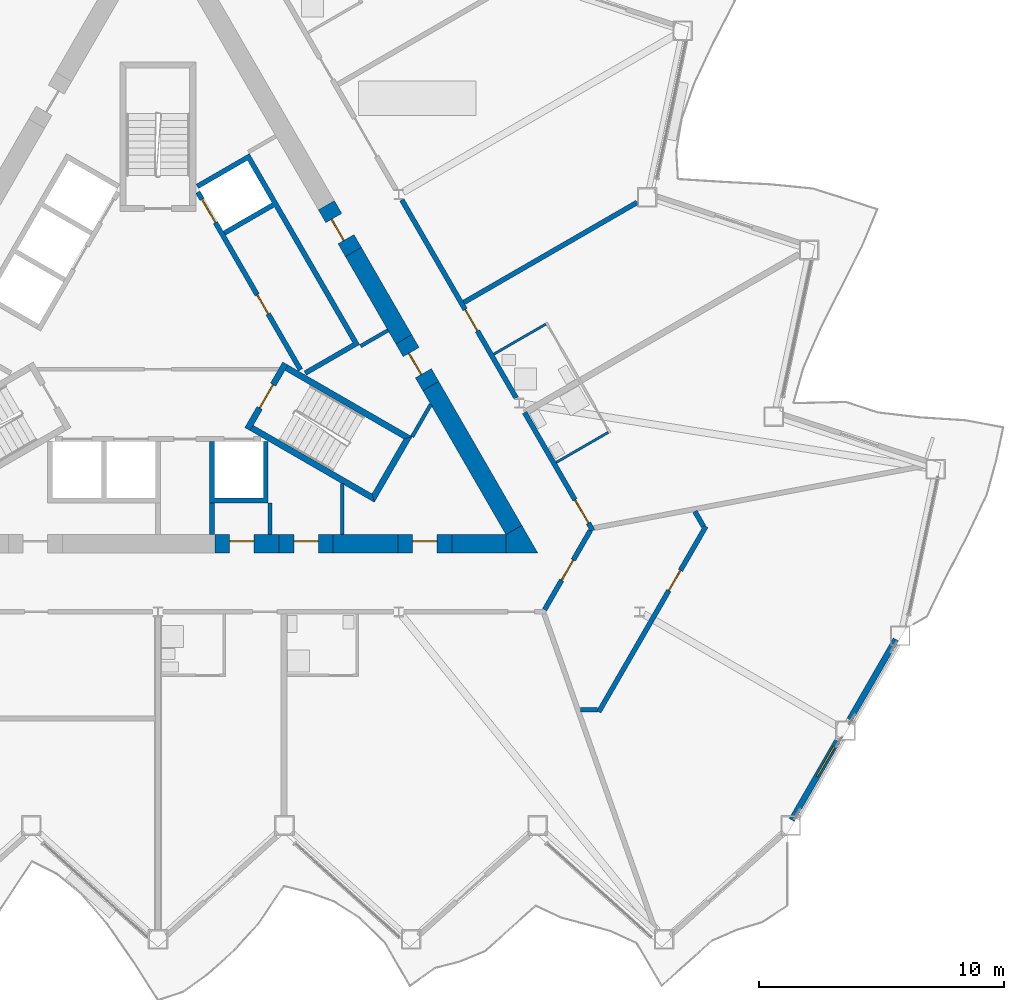
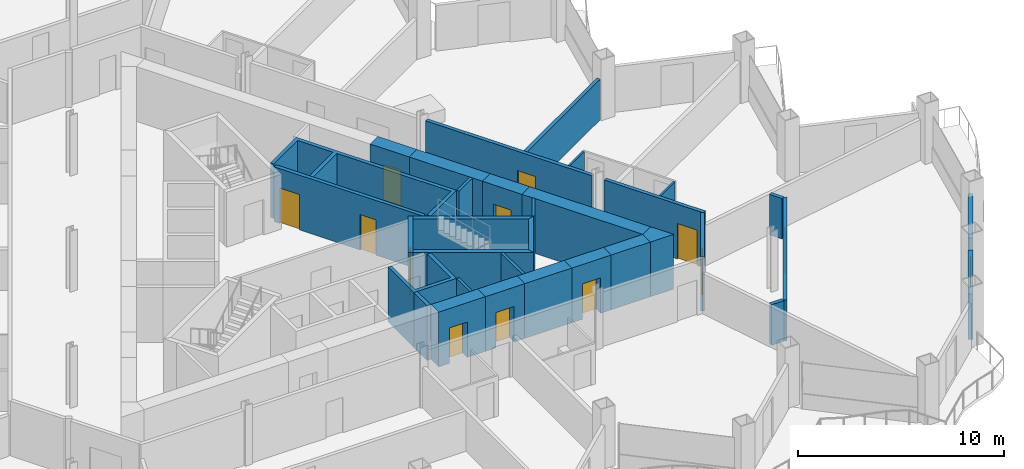
# One storey, part 12 of 22: 33 walls, 12 doors, 1 window, 13 openings.
"""IFC4 building model written with IfcOpenShell, lengths in metres."""

from ifc_helpers import new_model, si_unit, direction, frame, frame_2d, origin, place, context, subcontext, project, spatial, polyline, rectangle, outline, extrude, material, layer, layer_set, type_object, element, fill, save


model = new_model("IFC4")

# Units and contexts
model_context = context("Model", 3, precision=1e-05, world=origin(), true_north=direction((0.0, 1.0)))
body_context = subcontext(model_context, "Body", "Model", "MODEL_VIEW")
ifc_project = project(units=[si_unit("LENGTHUNIT", "METRE"), si_unit("AREAUNIT", "SQUARE_METRE"), si_unit("VOLUMEUNIT", "CUBIC_METRE"), si_unit("PLANEANGLEUNIT", "RADIAN"), si_unit("MASSUNIT", "GRAM", prefix="KILO")], contexts=[model_context])

# Site, building, storey
site_placement = place(None, origin())
site = spatial("IfcSite", under=ifc_project, at=site_placement, CompositionType="ELEMENT")
building_placement = place(site_placement, origin())
building = spatial("IfcBuilding", under=site, at=building_placement, Name="Cormorant Prow Tower", CompositionType="ELEMENT")
storey_placement = place(building_placement, frame((0.0, 0.0, 190.800048828125)))
storey = spatial("IfcBuildingStorey", under=building, at=storey_placement, Name="L41", CompositionType="ELEMENT", Elevation=190.800048828125)

# Walls
ifc_material_1 = material(Name="Gypsum board partition")
ifc_layer_1 = layer(ifc_material_1, 0.14990234375)
ifc_layer_set_1 = layer_set([ifc_layer_1], Name="Gypsum board partition")
wall_type_1 = type_object("IfcWallType", Name="Core partition 150", PredefinedType="PARTITIONING", material=ifc_layer_set_1)
for number, where, z_axis, x_axis, name in (
    (1, (8.268310546875, -0.509033203125, 0.0), (0.0, 0.0, 1.0), (0.866003189247, 0.500038474733, 0.0), "Service room partition"),
    (2, (4.574951171875, -6.906005859375, 0.0), (0.0, 0.0, 1.0), (0.0, -1.0, 0.0), "Service room partition"),
):
    element("IfcWall", number, at=place(storey_placement, frame(where, z_axis=z_axis, x_axis=x_axis)), inside=storey, type_object=wall_type_1, Name=name, PredefinedType="PARTITIONING", context=body_context, shape_type="SweptSolid", body=[
        extrude(rectangle(XDim=1.29296875, YDim=0.14990234375, at=frame_2d((0.646484375, 0.0))), origin(), (0.0, 0.0, 1.0), 3.25),
    ])
wall_1_placement = place(storey_placement, frame((7.515380859375, -8.198974609375, 0.0), z_axis=(0.0, 0.0, 1.0), x_axis=(0.0, 1.0, 0.0)))
element("IfcWall", 3, at=wall_1_placement, inside=storey, type_object=wall_type_1, Name="Service room partition", PredefinedType="PARTITIONING", context=body_context, shape_type="SweptSolid", body=[
    extrude(rectangle(XDim=2.087158203125, YDim=0.14990234375, at=frame_2d((1.04345703125, 0.0))), origin(), (0.0, 0.0, 1.0), 3.25),
])
wall_2_placement = place(storey_placement, frame((10.37353515625, -4.206298828125, 0.0), z_axis=(0.0, 0.0, 1.0), x_axis=(0.500037110984, 0.866003976688, 0.0)))
element("IfcWall", 4, at=wall_2_placement, inside=storey, type_object=wall_type_1, Name="Service room partition", PredefinedType="PARTITIONING", context=body_context, shape_type="SweptSolid", body=[
    extrude(rectangle(XDim=1.5224609375, YDim=0.14990234375, at=frame_2d((0.76123046875, 0.0))), origin(), (0.0, 0.0, 1.0), 3.25),
])
ifc_material_2 = material(Name="Concrete 8000 psi", Category="concrete")
ifc_layer_2 = layer(ifc_material_2, 0.75)
ifc_layer_set_2 = layer_set([ifc_layer_2], Name="Concrete 8000 psi")
wall_type_2 = type_object("IfcWallType", Name="Core shear wall 750", PredefinedType="SHEAR", material=ifc_layer_set_2)
wall_3_placement = place(storey_placement, frame((7.14501953125, -8.573974609375, 0.0), z_axis=(0.0, 0.0, 1.0), x_axis=(1.0, 0.0, 0.0)))
element("IfcWall", 5, at=wall_3_placement, inside=storey, type_object=wall_type_2, Name="Core wall", PredefinedType="SHEAR", context=body_context, shape_type="SweptSolid", body=[
    extrude(rectangle(XDim=2.650634765625, YDim=0.75, at=frame_2d((1.3251953125, 0.0))), origin(), (0.0, 0.0, 1.0), 3.25),
])
wall_4_placement = place(storey_placement, frame((11.99560546875, -8.573974609375, 0.0), z_axis=(0.0, 0.0, 1.0), x_axis=(1.0, 0.0, 0.0)))
element("IfcWall", 6, at=wall_4_placement, inside=storey, type_object=wall_type_2, Name="Core wall", PredefinedType="SHEAR", context=body_context, shape_type="SweptSolid", body=[
    extrude(rectangle(XDim=2.205322265625, YDim=0.75, at=frame_2d((1.1025390625, 0.0))), origin(), (0.0, 0.0, 1.0), 3.25),
])
wall_5_placement = place(storey_placement, frame((14.525634765625, -8.011474609375, 0.0), z_axis=(0.0, 0.0, 1.0), x_axis=(-0.499982018922, 0.866035784916, 0.0)))
element("IfcWall", 7, at=wall_5_placement, inside=storey, type_object=wall_type_2, Name="Core wall", PredefinedType="SHEAR", context=body_context, shape_type="SweptSolid", body=[
    extrude(rectangle(XDim=6.784912109375, YDim=0.75, at=frame_2d((3.392578125, 0.0))), origin(), (0.0, 0.0, 1.0), 3.25),
])
wall_6_placement = place(storey_placement, frame((10.033203125, -0.22998046875, 0.0), z_axis=(0.0, 0.0, 1.0), x_axis=(-0.500030520673, 0.866007781949, 0.0)))
element("IfcWall", 8, at=wall_6_placement, inside=storey, type_object=wall_type_2, Name="Core wall", PredefinedType="SHEAR", context=body_context, shape_type="SweptSolid", body=[
    extrude(rectangle(XDim=4.115966796875, YDim=0.75, at=frame_2d((2.05810546875, 0.0))), origin(), (0.0, 0.0, 1.0), 3.25),
])
wall_7_placement = place(storey_placement, origin())
element("IfcWall", 9, at=wall_7_placement, inside=storey, type_object=wall_type_2, Name="Core wall corner", PredefinedType="SHEAR", context=body_context, shape_type="SweptSolid", body=[
    extrude(outline(polyline([(14.200927734375, -8.948974609375), (14.200927734375, -8.198974609375), (14.8505859375, -7.823974609375), (15.5, -8.948974609375), (14.200927734375, -8.948974609375)])), origin(), (0.0, 0.0, 1.0), 3.25),
])

# Wall, opening, door
wall_8_placement = place(storey_placement, frame((2.320068359375, -8.573974609375, 0.0), z_axis=(0.0, 0.0, 1.0), x_axis=(1.0, 0.0, 0.0)))
wall_8 = element("IfcWall", 10, at=wall_8_placement, inside=storey, type_object=wall_type_2, Name="Core wall door panel", PredefinedType="SHEAR", context=body_context, shape_type="SweptSolid", body=[
    extrude(rectangle(XDim=2.625, YDim=0.75, at=frame_2d((1.3125, 0.0))), origin(), (0.0, 0.0, 1.0), 3.25),
])
opening_1_placement = place(wall_8_placement, frame((0.60009765625, 0.0, 0.0)))
opening_1 = element("IfcOpeningElement", 11, at=opening_1_placement, cuts=wall_8, Name="Opening L41-C13", PredefinedType="OPENING", context=body_context, shape_type="SweptSolid", body=[
    extrude(rectangle(XDim=1.0, YDim=2.10009765625, at=frame_2d((0.5, 1.050048828125))), frame((0.0, 0.385009765625, 0.0), z_axis=(0.0, -1.0, 0.0), x_axis=(1.0, 0.0, 0.0)), (0.0, 0.0, 1.0), 0.77001953125),
])
ifc_material_3 = material(Name="Painted steel", Category="steel")
door_type_1 = type_object("IfcDoorType", Name="Service door 1000x2100", OperationType="NOTDEFINED", PredefinedType="DOOR", material=ifc_material_3)
door_1_placement = place(opening_1_placement, origin())
door_1 = element("IfcDoor", 12, at=door_1_placement, inside=storey, type_object=door_type_1, Name="Core door, Telecom room", OperationType="SINGLE_SWING_RIGHT", OverallHeight=2.10009765625, OverallWidth=1.0, PredefinedType="DOOR", context=body_context, shape_type="SweptSolid", body=[
    extrude(rectangle(XDim=1.0, YDim=2.10009765625, at=frame_2d((0.5, 1.050048828125))), frame((0.0, 0.1298828125, 0.0), z_axis=(0.0, -1.0, 0.0), x_axis=(1.0, 0.0, 0.0)), (0.0, 0.0, 1.0), 0.050048828125),
])
fill(opening_1, door_1)

wall_9_placement = place(storey_placement, frame((4.945068359375, -8.573974609375, 0.0), z_axis=(0.0, 0.0, 1.0), x_axis=(1.0, 0.0, 0.0)))
wall_9 = element("IfcWall", 13, at=wall_9_placement, inside=storey, type_object=wall_type_2, Name="Core wall door panel", PredefinedType="SHEAR", context=body_context, shape_type="SweptSolid", body=[
    extrude(rectangle(XDim=2.199951171875, YDim=0.75, at=frame_2d((1.10009765625, 0.0))), origin(), (0.0, 0.0, 1.0), 3.25),
])
opening_2_placement = place(wall_9_placement, frame((0.60009765625, 0.0, 0.0)))
opening_2 = element("IfcOpeningElement", 14, at=opening_2_placement, cuts=wall_9, Name="Opening L41-C15", PredefinedType="OPENING", context=body_context, shape_type="SweptSolid", body=[
    extrude(rectangle(XDim=1.0, YDim=2.10009765625, at=frame_2d((0.5, 1.050048828125))), frame((0.0, 0.385009765625, 0.0), z_axis=(0.0, -1.0, 0.0), x_axis=(1.0, 0.0, 0.0)), (0.0, 0.0, 1.0), 0.77001953125),
])
door_2_placement = place(opening_2_placement, origin())
door_2 = element("IfcDoor", 15, at=door_2_placement, inside=storey, type_object=door_type_1, Name="Core door, Electrical room", OperationType="SINGLE_SWING_LEFT", OverallHeight=2.10009765625, OverallWidth=1.0, PredefinedType="DOOR", context=body_context, shape_type="SweptSolid", body=[
    extrude(rectangle(XDim=1.0, YDim=2.10009765625, at=frame_2d((0.5, 1.050048828125))), frame((0.0, 0.1298828125, 0.0), z_axis=(0.0, -1.0, 0.0), x_axis=(1.0, 0.0, 0.0)), (0.0, 0.0, 1.0), 0.050048828125),
])
fill(opening_2, door_2)

wall_10_placement = place(storey_placement, frame((9.795654296875, -8.573974609375, 0.0), z_axis=(0.0, 0.0, 1.0), x_axis=(1.0, 0.0, 0.0)))
wall_10 = element("IfcWall", 16, at=wall_10_placement, inside=storey, type_object=wall_type_2, Name="Core wall door panel", PredefinedType="SHEAR", context=body_context, shape_type="SweptSolid", body=[
    extrude(rectangle(XDim=2.199951171875, YDim=0.75, at=frame_2d((1.10009765625, 0.0))), origin(), (0.0, 0.0, 1.0), 3.25),
])
opening_3_placement = place(wall_10_placement, frame((0.60009765625, 0.0, 0.0)))
opening_3 = element("IfcOpeningElement", 17, at=opening_3_placement, cuts=wall_10, Name="Opening L41-C16", PredefinedType="OPENING", context=body_context, shape_type="SweptSolid", body=[
    extrude(rectangle(XDim=1.0, YDim=2.10009765625, at=frame_2d((0.5, 1.050048828125))), frame((0.0, 0.385009765625, 0.0), z_axis=(0.0, -1.0, 0.0), x_axis=(1.0, 0.0, 0.0)), (0.0, 0.0, 1.0), 0.77001953125),
])
door_3_placement = place(opening_3_placement, origin())
door_3 = element("IfcDoor", 18, at=door_3_placement, inside=storey, type_object=door_type_1, Name="Core door, Mechanical riser room", OperationType="SINGLE_SWING_LEFT", OverallHeight=2.10009765625, OverallWidth=1.0, PredefinedType="DOOR", context=body_context, shape_type="SweptSolid", body=[
    extrude(rectangle(XDim=1.0, YDim=2.10009765625, at=frame_2d((0.5, 1.050048828125))), frame((0.0, 0.1298828125, 0.0), z_axis=(0.0, -1.0, 0.0), x_axis=(1.0, 0.0, 0.0)), (0.0, 0.0, 1.0), 0.050048828125),
])
fill(opening_3, door_3)

wall_11_placement = place(storey_placement, frame((7.975341796875, 3.33447265625, 0.0), z_axis=(0.0, 0.0, 1.0), x_axis=(-0.500077893725, 0.86598042715, 0.0)))
wall_11 = element("IfcWall", 19, at=wall_11_placement, inside=storey, type_object=wall_type_2, Name="Core wall door panel", PredefinedType="SHEAR", context=body_context, shape_type="SweptSolid", body=[
    extrude(rectangle(XDim=2.199951171875, YDim=0.75, at=frame_2d((1.10009765625, 0.0))), origin(), (0.0, 0.0, 1.0), 3.25),
])
opening_4_placement = place(wall_11_placement, frame((0.60009765625, 0.0, 0.0)))
opening_4 = element("IfcOpeningElement", 20, at=opening_4_placement, cuts=wall_11, Name="Opening L41-C18", PredefinedType="OPENING", context=body_context, shape_type="SweptSolid", body=[
    extrude(rectangle(XDim=1.0, YDim=2.10009765625, at=frame_2d((0.5, 1.050048828125))), frame((0.0, 0.385009765625, 0.0), z_axis=(0.0, -1.0, 0.0), x_axis=(1.0, 0.0, 0.0)), (0.0, 0.0, 1.0), 0.77001953125),
])
door_4_placement = place(opening_4_placement, origin())
door_4 = element("IfcDoor", 21, at=door_4_placement, inside=storey, type_object=door_type_1, Name="Core door, Pantry store", OperationType="SINGLE_SWING_RIGHT", OverallHeight=2.10009765625, OverallWidth=1.0, PredefinedType="DOOR", context=body_context, shape_type="SweptSolid", body=[
    extrude(rectangle(XDim=1.0, YDim=2.10009765625, at=frame_2d((0.5, 1.050048828125))), frame((0.0, 0.1298828125, 0.0), z_axis=(0.0, -1.0, 0.0), x_axis=(1.0, 0.0, 0.0)), (0.0, 0.0, 1.0), 0.050048828125),
])
fill(opening_4, door_4)

wall_12_placement = place(storey_placement, frame((11.13330078125, -2.135498046875, 0.0), z_axis=(0.0, 0.0, 1.0), x_axis=(-0.499981787252, 0.866035918664, 0.0)))
wall_12 = element("IfcWall", 22, at=wall_12_placement, inside=storey, type_object=wall_type_2, Name="Core wall door panel", PredefinedType="SHEAR", context=body_context, shape_type="SweptSolid", body=[
    extrude(rectangle(XDim=2.2001953125, YDim=0.75, at=frame_2d((1.10009765625, 0.0))), origin(), (0.0, 0.0, 1.0), 3.25),
])
opening_5_placement = place(wall_12_placement, frame((0.60009765625, 0.0, 0.0)))
opening_5 = element("IfcOpeningElement", 23, at=opening_5_placement, cuts=wall_12, Name="Opening L41-C20", PredefinedType="OPENING", context=body_context, shape_type="SweptSolid", body=[
    extrude(rectangle(XDim=1.0, YDim=2.10009765625, at=frame_2d((0.5, 1.050048828125))), frame((0.0, 0.385009765625, 0.0), z_axis=(0.0, -1.0, 0.0), x_axis=(1.0, 0.0, 0.0)), (0.0, 0.0, 1.0), 0.77001953125),
])
door_5_placement = place(opening_5_placement, origin())
door_5 = element("IfcDoor", 24, at=door_5_placement, inside=storey, type_object=door_type_1, Name="Core door, Mechanical riser room", OperationType="SINGLE_SWING_LEFT", OverallHeight=2.10009765625, OverallWidth=1.0, PredefinedType="DOOR", context=body_context, shape_type="SweptSolid", body=[
    extrude(rectangle(XDim=1.0, YDim=2.10009765625, at=frame_2d((0.5, 1.050048828125))), frame((0.0, 0.1298828125, 0.0), z_axis=(0.0, -1.0, 0.0), x_axis=(1.0, 0.0, 0.0)), (0.0, 0.0, 1.0), 0.050048828125),
])
fill(opening_5, door_5)

ifc_material_4 = material(Name="Gypsum board corridor wall")
ifc_layer_3 = layer(ifc_material_4, 0.199951171875)
ifc_layer_set_3 = layer_set([ifc_layer_3], Name="Gypsum board corridor wall")
wall_type_3 = type_object("IfcWallType", Name="Corridor wall 200", PredefinedType="PARTITIONING", material=ifc_layer_set_3)
wall_13_placement = place(storey_placement, frame((9.951904296875, 5.460693359375, 0.0), z_axis=(0.0, 0.0, 1.0), x_axis=(0.50000393355, -0.866023132736, 0.0)))
wall_13 = element("IfcWall", 25, at=wall_13_placement, inside=storey, type_object=wall_type_3, Name="Corridor wall", PredefinedType="PARTITIONING", context=body_context, shape_type="SweptSolid", body=[
    extrude(rectangle(XDim=9.3349609375, YDim=0.199951171875, at=frame_2d((4.66748046875, 0.0))), origin(), (0.0, 0.0, 1.0), 3.25),
])
opening_6_placement = place(wall_13_placement, frame((5.171875, 0.0, 0.0)))
opening_6 = element("IfcOpeningElement", 26, at=opening_6_placement, cuts=wall_13, Name="Opening L41-F11", PredefinedType="OPENING", context=body_context, shape_type="SweptSolid", body=[
    extrude(rectangle(XDim=1.0, YDim=2.10009765625, at=frame_2d((0.5, 1.050048828125))), frame((0.0, 0.10986328125, 0.0), z_axis=(0.0, -1.0, 0.0), x_axis=(1.0, 0.0, 0.0)), (0.0, 0.0, 1.0), 0.219970703125),
])
ifc_material_5 = material(Name="Timber door leaf", Category="wood")
door_type_2 = type_object("IfcDoorType", Name="Flat or room entrance door 1000x2100", OperationType="NOTDEFINED", PredefinedType="DOOR", material=ifc_material_5)
door_6_placement = place(opening_6_placement, origin())
door_6 = element("IfcDoor", 27, at=door_6_placement, inside=storey, type_object=door_type_2, Name="Guest room door", OperationType="SINGLE_SWING_LEFT", OverallHeight=2.10009765625, OverallWidth=1.0, PredefinedType="DOOR", context=body_context, shape_type="SweptSolid", body=[
    extrude(rectangle(XDim=1.0, YDim=2.10009765625, at=frame_2d((0.5, 1.050048828125))), frame((0.0, 0.02490234375, 0.0), z_axis=(0.0, -1.0, 0.0), x_axis=(1.0, 0.0, 0.0)), (0.0, 0.0, 1.0), 0.050048828125),
])
fill(opening_6, door_6)

wall_14_placement = place(storey_placement, frame((14.9619140625, -3.217041015625, 0.0), z_axis=(0.0, 0.0, 1.0), x_axis=(0.500013660489, -0.866017516754, 0.0)))
wall_14 = element("IfcWall", 28, at=wall_14_placement, inside=storey, type_object=wall_type_3, Name="Corridor wall", PredefinedType="PARTITIONING", context=body_context, shape_type="SweptSolid", body=[
    extrude(rectangle(XDim=5.563720703125, YDim=0.199951171875, at=frame_2d((2.78173828125, 0.0))), origin(), (0.0, 0.0, 1.0), 3.25),
])
opening_7_placement = place(wall_14_placement, frame((4.1123046875, 0.0, 0.0)))
opening_7 = element("IfcOpeningElement", 29, at=opening_7_placement, cuts=wall_14, Name="Opening L41-F09", PredefinedType="OPENING", context=body_context, shape_type="SweptSolid", body=[
    extrude(rectangle(XDim=1.10009765625, YDim=2.10009765625, at=frame_2d((0.550048828125, 1.050048828125))), frame((0.0, 0.10986328125, 0.0), z_axis=(0.0, -1.0, 0.0), x_axis=(1.0, 0.0, 0.0)), (0.0, 0.0, 1.0), 0.219970703125),
])
ifc_material_6 = material(Name="Timber door leaf", Category="wood")
door_type_3 = type_object("IfcDoorType", Name="Suite entrance door 1100x2100", OperationType="NOTDEFINED", PredefinedType="DOOR", material=ifc_material_6)
door_7_placement = place(opening_7_placement, origin())
door_7 = element("IfcDoor", 30, at=door_7_placement, inside=storey, type_object=door_type_3, Name="Junior suite door", OperationType="SINGLE_SWING_RIGHT", OverallHeight=2.10009765625, OverallWidth=1.10009765625, PredefinedType="DOOR", context=body_context, shape_type="SweptSolid", body=[
    extrude(rectangle(XDim=1.10009765625, YDim=2.10009765625, at=frame_2d((0.550048828125, 1.050048828125))), frame((0.0, 0.02490234375, 0.0), z_axis=(0.0, -1.0, 0.0), x_axis=(1.0, 0.0, 0.0)), (0.0, 0.0, 1.0), 0.050048828125),
])
fill(opening_7, door_7)

wall_15_placement = place(storey_placement, frame((15.781005859375, -11.26220703125, 0.0), z_axis=(0.0, 0.0, 1.0), x_axis=(0.499958791762, 0.866049194065, 0.0)))
wall_15 = element("IfcWall", 31, at=wall_15_placement, inside=storey, type_object=wall_type_3, Name="Corridor wall", PredefinedType="PARTITIONING", context=body_context, shape_type="SweptSolid", body=[
    extrude(rectangle(XDim=3.725830078125, YDim=0.199951171875, at=frame_2d((1.86279296875, 0.0))), origin(), (0.0, 0.0, 1.0), 3.25),
])
opening_8_placement = place(wall_15_placement, frame((1.387939453125, 0.0, 0.0)))
opening_8 = element("IfcOpeningElement", 32, at=opening_8_placement, cuts=wall_15, Name="Opening L41-F07", PredefinedType="OPENING", context=body_context, shape_type="SweptSolid", body=[
    extrude(rectangle(XDim=0.949951171875, YDim=2.10009765625, at=frame_2d((0.47509765625, 1.050048828125))), frame((0.0, 0.10986328125, 0.0), z_axis=(0.0, -1.0, 0.0), x_axis=(1.0, 0.0, 0.0)), (0.0, 0.0, 1.0), 0.219970703125),
])
ifc_material_7 = material(Name="Timber door leaf", Category="wood")
door_type_4 = type_object("IfcDoorType", Name="Store door 950x2100", OperationType="NOTDEFINED", PredefinedType="DOOR", material=ifc_material_7)
door_8_placement = place(opening_8_placement, origin())
door_8 = element("IfcDoor", 33, at=door_8_placement, inside=storey, type_object=door_type_4, Name="Housekeeping room door", OperationType="SINGLE_SWING_LEFT", OverallHeight=2.10009765625, OverallWidth=0.949951171875, PredefinedType="DOOR", context=body_context, shape_type="SweptSolid", body=[
    extrude(rectangle(XDim=0.949951171875, YDim=2.10009765625, at=frame_2d((0.47509765625, 1.050048828125))), frame((0.0, 0.02490234375, 0.0), z_axis=(0.0, -1.0, 0.0), x_axis=(1.0, 0.0, 0.0)), (0.0, 0.0, 1.0), 0.050048828125),
])
fill(opening_8, door_8)

ifc_material_8 = material(Name="Gypsum board demising wall")
ifc_layer_4 = layer(ifc_material_8, 0.199951171875)
ifc_layer_set_4 = layer_set([ifc_layer_4], Name="Gypsum board demising wall")
wall_type_4 = type_object("IfcWallType", Name="Demising wall 200", PredefinedType="PARTITIONING", material=ifc_layer_set_4)
wall_16_placement = place(storey_placement, frame((17.990234375, -15.435546875, 0.0), z_axis=(0.0, 0.0, 1.0), x_axis=(0.500012451049, 0.866018215049, 0.0)))
wall_16 = element("IfcWall", 34, at=wall_16_placement, inside=storey, type_object=wall_type_4, Name="Demising wall", PredefinedType="PARTITIONING", context=body_context, shape_type="SweptSolid", body=[
    extrude(rectangle(XDim=8.744873046875, YDim=0.199951171875, at=frame_2d((4.37255859375, 0.0))), origin(), (0.0, 0.0, 1.0), 2.404052734375),
])
opening_9_placement = place(wall_16_placement, frame((5.72119140625, 0.0, 0.0)))
opening_9 = element("IfcOpeningElement", 35, at=opening_9_placement, cuts=wall_16, Name="Opening L41-F08", PredefinedType="OPENING", context=body_context, shape_type="SweptSolid", body=[
    extrude(rectangle(XDim=0.949951171875, YDim=2.10009765625, at=frame_2d((0.47509765625, 1.050048828125))), frame((0.0, 0.10986328125, 0.0), z_axis=(0.0, -1.0, 0.0), x_axis=(1.0, 0.0, 0.0)), (0.0, 0.0, 1.0), 0.219970703125),
])
door_9_placement = place(opening_9_placement, origin())
door_9 = element("IfcDoor", 36, at=door_9_placement, inside=storey, type_object=door_type_4, Name="Ice and vending room door", OperationType="SINGLE_SWING_RIGHT", OverallHeight=2.10009765625, OverallWidth=0.949951171875, PredefinedType="DOOR", context=body_context, shape_type="SweptSolid", body=[
    extrude(rectangle(XDim=0.949951171875, YDim=2.10009765625, at=frame_2d((0.47509765625, 1.050048828125))), frame((0.0, 0.02490234375, 0.0), z_axis=(0.0, -1.0, 0.0), x_axis=(1.0, 0.0, 0.0)), (0.0, 0.0, 1.0), 0.050048828125),
])
fill(opening_9, door_9)

# Walls
wall_17_placement = place(storey_placement, frame((12.484375, 1.2744140625, 0.0), z_axis=(0.0, 0.0, 1.0), x_axis=(0.866026229868, 0.499998569178, 0.0)))
element("IfcWall", 37, at=wall_17_placement, inside=storey, type_object=wall_type_4, Name="Demising wall", PredefinedType="PARTITIONING", context=body_context, shape_type="SweptSolid", body=[
    extrude(rectangle(XDim=8.1640625, YDim=0.199951171875, at=frame_2d((4.08203125, 0.0))), origin(), (0.0, 0.0, 1.0), 2.404052734375),
])
for number, where, z_axis, x_axis, name in (
    (38, (17.236328125, -15.348876953125, 0.0), (0.0, 0.0, 1.0), (1.0, 0.0, 0.0), "Demising wall"),
    (39, (21.91064453125, -7.252685546875, 0.0), (0.0, 0.0, 1.0), (0.500092692325, -0.865971881231, 0.0), "Demising wall"),
):
    element("IfcWall", number, at=place(storey_placement, frame(where, z_axis=z_axis, x_axis=x_axis)), inside=storey, type_object=wall_type_4, Name=name, PredefinedType="PARTITIONING", context=body_context, shape_type="SweptSolid", body=[
        extrude(rectangle(XDim=0.703857421875, YDim=0.199951171875, at=frame_2d((0.35205078125, 0.0))), origin(), (0.0, 0.0, 1.0), 2.404052734375),
    ])
ifc_material_9 = material(Name="Gypsum board partition")
ifc_layer_5 = layer(ifc_material_9, 0.10009765625)
ifc_layer_set_5 = layer_set([ifc_layer_5], Name="Gypsum board partition")
wall_type_5 = type_object("IfcWallType", Name="Internal partition 100", PredefinedType="PARTITIONING", material=ifc_layer_set_5)
wall_18_placement = place(storey_placement, frame((13.70361328125, -0.83740234375, 0.0), z_axis=(0.0, 0.0, 1.0), x_axis=(0.865989751695, 0.500061746146, 0.0)))
element("IfcWall", 40, at=wall_18_placement, inside=storey, type_object=wall_type_5, Name="Internal partition", PredefinedType="PARTITIONING", context=body_context, shape_type="SweptSolid", body=[
    extrude(rectangle(XDim=2.449951171875, YDim=0.10009765625, at=frame_2d((1.22509765625, 0.0))), origin(), (0.0, 0.0, 1.0), 2.404052734375),
])
wall_19_placement = place(storey_placement, frame((16.253662109375, -5.254150390625, 0.0), z_axis=(0.0, 0.0, 1.0), x_axis=(0.866032905446, 0.499987006516, 0.0)))
element("IfcWall", 41, at=wall_19_placement, inside=storey, type_object=wall_type_5, Name="Internal partition", PredefinedType="PARTITIONING", context=body_context, shape_type="SweptSolid", body=[
    extrude(rectangle(XDim=2.44970703125, YDim=0.10009765625, at=frame_2d((1.224853515625, 0.0))), origin(), (0.0, 0.0, 1.0), 2.404052734375),
])

# Wall, openings, doors
ifc_material_10 = material(Name="Concrete 5000 psi", Category="concrete")
ifc_layer_6 = layer(ifc_material_10, 0.199951171875)
ifc_layer_set_6 = layer_set([ifc_layer_6], Name="Concrete 5000 psi")
wall_type_6 = type_object("IfcWallType", Name="Lift lobby wall 200", PredefinedType="SOLIDWALL", material=ifc_layer_set_6)
wall_20_placement = place(storey_placement, frame((5.817138671875, -1.4755859375, 0.0), z_axis=(0.0, 0.0, 1.0), x_axis=(-0.500002616675, 0.866023893041, 0.0)))
wall_20 = element("IfcWall", 42, at=wall_20_placement, inside=storey, type_object=wall_type_6, Name="Lift lobby wall, ENE block", PredefinedType="SOLIDWALL", context=body_context, shape_type="SweptSolid", body=[
    extrude(rectangle(XDim=8.373046875, YDim=0.199951171875, at=frame_2d((4.1865234375, 0.0))), origin(), (0.0, 0.0, 1.0), 3.25),
])
opening_10_placement = place(wall_20_placement, frame((2.63671875, 0.0, 0.0)))
opening_10 = element("IfcOpeningElement", 43, at=opening_10_placement, cuts=wall_20, Name="Opening L41-C05", PredefinedType="OPENING", context=body_context, shape_type="SweptSolid", body=[
    extrude(rectangle(XDim=0.89990234375, YDim=2.10009765625, at=frame_2d((0.449951171875, 1.050048828125))), frame((0.0, 0.10986328125, 0.0), z_axis=(0.0, -1.0, 0.0), x_axis=(1.0, 0.0, 0.0)), (0.0, 0.0, 1.0), 0.219970703125),
])
opening_11_placement = place(wall_20_placement, frame((6.9365234375, 0.0, 0.0)))
opening_11 = element("IfcOpeningElement", 44, at=opening_11_placement, cuts=wall_20, Name="Opening L41-C06", PredefinedType="OPENING", context=body_context, shape_type="SweptSolid", body=[
    extrude(rectangle(XDim=1.10009765625, YDim=2.10009765625, at=frame_2d((0.550048828125, 1.050048828125))), frame((0.0, 0.10986328125, 0.0), z_axis=(0.0, -1.0, 0.0), x_axis=(1.0, 0.0, 0.0)), (0.0, 0.0, 1.0), 0.219970703125),
])
ifc_material_11 = material(Name="Painted steel", Category="steel")
door_type_5 = type_object("IfcDoorType", Name="Lift landing door 1100x2100", OperationType="SLIDING_TO_LEFT", PredefinedType="DOOR", material=ifc_material_11)
door_10_placement = place(opening_11_placement, origin())
door_10 = element("IfcDoor", 45, at=door_10_placement, inside=storey, type_object=door_type_5, Name="Landing door MR1", OperationType="SLIDING_TO_LEFT", OverallHeight=2.10009765625, OverallWidth=1.10009765625, PredefinedType="DOOR", context=body_context, shape_type="SweptSolid", body=[
    extrude(rectangle(XDim=1.10009765625, YDim=2.10009765625, at=frame_2d((0.550048828125, 1.050048828125))), frame((0.0, 0.02490234375, 0.0), z_axis=(0.0, -1.0, 0.0), x_axis=(1.0, 0.0, 0.0)), (0.0, 0.0, 1.0), 0.050048828125),
])
fill(opening_11, door_10)
ifc_material_12 = material(Name="Painted steel", Category="steel")
door_type_6 = type_object("IfcDoorType", Name="Service door 900x2100", OperationType="NOTDEFINED", PredefinedType="DOOR", material=ifc_material_12)
door_11_placement = place(opening_10_placement, origin())
door_11 = element("IfcDoor", 46, at=door_11_placement, inside=storey, type_object=door_type_6, Name="Service door, Pantry store", OperationType="SINGLE_SWING_LEFT", OverallHeight=2.10009765625, OverallWidth=0.89990234375, PredefinedType="DOOR", context=body_context, shape_type="SweptSolid", body=[
    extrude(rectangle(XDim=0.89990234375, YDim=2.10009765625, at=frame_2d((0.449951171875, 1.050048828125))), frame((0.0, 0.02490234375, 0.0), z_axis=(0.0, -1.0, 0.0), x_axis=(1.0, 0.0, 0.0)), (0.0, 0.0, 1.0), 0.050048828125),
])
fill(opening_10, door_11)

# Walls
ifc_material_13 = material(Name="Concrete 8000 psi", Category="concrete")
ifc_layer_7 = layer(ifc_material_13, 0.199951171875)
ifc_layer_set_7 = layer_set([ifc_layer_7], Name="Concrete 8000 psi")
wall_type_7 = type_object("IfcWallType", Name="Lift shaft wall 200", PredefinedType="SHEAR", material=ifc_layer_set_7)
wall_21_placement = place(storey_placement, origin())
element("IfcWall", 47, at=wall_21_placement, inside=storey, type_object=wall_type_7, Name="Lift shaft walls, S block", PredefinedType="SHEAR", context=body_context, shape_type="SweptSolid", body=[
    extrude(outline(polyline([(4.5, -4.39990234375), (4.5, -6.906005859375), (2.10009765625, -6.906005859375), (2.10009765625, -4.39990234375), (2.300048828125, -4.39990234375), (2.300048828125, -6.699951171875), (4.300048828125, -6.699951171875), (4.300048828125, -4.39990234375), (4.5, -4.39990234375)])), origin(), (0.0, 0.0, 1.0), 3.25),
])
wall_22_placement = place(storey_placement, frame((2.199951171875, -6.906005859375, 0.0), z_axis=(0.0, 0.0, 1.0), x_axis=(0.0, -1.0, 0.0)))
element("IfcWall", 48, at=wall_22_placement, inside=storey, type_object=wall_type_7, Name="Store side wall", PredefinedType="SHEAR", context=body_context, shape_type="SweptSolid", body=[
    extrude(rectangle(XDim=1.29296875, YDim=0.199951171875, at=frame_2d((0.646484375, 0.0))), origin(), (0.0, 0.0, 1.0), 3.25),
])
wall_23_placement = place(storey_placement, origin())
element("IfcWall", 49, at=wall_23_placement, inside=storey, type_object=wall_type_7, Name="Lift shaft walls, ENE block", PredefinedType="SHEAR", context=body_context, shape_type="SweptSolid", body=[
    extrude(outline(polyline([(1.560546875, 6.09716796875), (3.730712890625, 7.35009765625), (8.230712890625, -0.444091796875), (6.060546875, -1.697021484375), (5.96044921875, -1.52392578125), (7.952392578125, -0.373779296875), (4.75244140625, 5.168701171875), (2.760498046875, 4.018798828125), (2.660400390625, 4.19189453125), (4.65234375, 5.341796875), (3.65234375, 7.073974609375), (1.660400390625, 5.923828125), (1.560546875, 6.09716796875)])), origin(), (0.0, 0.0, 1.0), 3.25),
])
ifc_material_14 = material(Name="Concrete 8000 psi", Category="concrete")
ifc_layer_8 = layer(ifc_material_14, 0.25)
ifc_layer_set_8 = layer_set([ifc_layer_8], Name="Concrete 8000 psi")
wall_type_8 = type_object("IfcWallType", Name="Stair wall 250", PredefinedType="SHEAR", material=ifc_layer_set_8)
wall_24_placement = place(storey_placement, origin())
element("IfcWall", 50, at=wall_24_placement, inside=storey, type_object=wall_type_8, Name="Stair ST2 enclosure wall (flank)", PredefinedType="SHEAR", context=body_context, shape_type="SweptSolid", body=[
    extrude(outline(polyline([(3.76318359375, -3.95556640625), (8.82958984375, -6.880615234375), (8.738037109375, -6.5390625), (3.88818359375, -3.739013671875), (3.76318359375, -3.95556640625)])), origin(), (0.0, 0.0, 1.0), 3.25),
])
wall_25_placement = place(storey_placement, origin())
element("IfcWall", 51, at=wall_25_placement, inside=storey, type_object=wall_type_8, Name="Stair ST2 enclosure wall (end)", PredefinedType="SHEAR", context=body_context, shape_type="SweptSolid", body=[
    extrude(outline(polyline([(8.82958984375, -6.880615234375), (10.37353515625, -4.206298828125), (10.031982421875, -4.2978515625), (8.738037109375, -6.5390625), (8.82958984375, -6.880615234375)])), origin(), (0.0, 0.0, 1.0), 3.25),
])
wall_26_placement = place(storey_placement, origin())
element("IfcWall", 52, at=wall_26_placement, inside=storey, type_object=wall_type_8, Name="Stair ST2 enclosure wall (flank)", PredefinedType="SHEAR", context=body_context, shape_type="SweptSolid", body=[
    extrude(outline(polyline([(10.031982421875, -4.2978515625), (10.37353515625, -4.206298828125), (5.30712890625, -1.28125), (5.18212890625, -1.497802734375), (10.031982421875, -4.2978515625)])), origin(), (0.0, 0.0, 1.0), 3.25),
])

# Wall, opening, door
wall_27_placement = place(storey_placement, frame((3.655029296875, -3.89306640625, 0.0), z_axis=(0.0, 0.0, 1.0), x_axis=(0.499982516597, 0.866035497597, 0.0)))
wall_27 = element("IfcWall", 53, at=wall_27_placement, inside=storey, type_object=wall_type_8, Name="Stair ST2 door wall", PredefinedType="SHEAR", context=body_context, shape_type="SweptSolid", body=[
    extrude(rectangle(XDim=3.087890625, YDim=0.25, at=frame_2d((1.5439453125, 0.0))), origin(), (0.0, 0.0, 1.0), 3.25),
])
opening_12_placement = place(wall_27_placement, frame((0.993896484375, 0.0, 0.0)))
opening_12 = element("IfcOpeningElement", 54, at=opening_12_placement, cuts=wall_27, Name="Opening L41-C11", PredefinedType="OPENING", context=body_context, shape_type="SweptSolid", body=[
    extrude(rectangle(XDim=1.10009765625, YDim=2.10009765625, at=frame_2d((0.550048828125, 1.050048828125))), frame((0.0, 0.135009765625, 0.0), z_axis=(0.0, -1.0, 0.0), x_axis=(1.0, 0.0, 0.0)), (0.0, 0.0, 1.0), 0.27001953125),
])
ifc_material_15 = material(Name="Painted steel", Category="steel")
door_type_7 = type_object("IfcDoorType", Name="Stair door 1100x2100", OperationType="NOTDEFINED", PredefinedType="DOOR", material=ifc_material_15)
door_12_placement = place(opening_12_placement, origin())
door_12 = element("IfcDoor", 55, at=door_12_placement, inside=storey, type_object=door_type_7, Name="Stair ST2 door", OperationType="SINGLE_SWING_RIGHT", OverallHeight=2.10009765625, OverallWidth=1.10009765625, PredefinedType="DOOR", context=body_context, shape_type="SweptSolid", body=[
    extrude(rectangle(XDim=1.10009765625, YDim=2.10009765625, at=frame_2d((0.550048828125, 1.050048828125))), frame((0.0, 0.02490234375, 0.0), z_axis=(0.0, -1.0, 0.0), x_axis=(1.0, 0.0, 0.0)), (0.0, 0.0, 1.0), 0.050048828125),
])
fill(opening_12, door_12)

# Wall, opening, window
ifc_material_16 = material(Name="Terracotta", Category="masonry")
ifc_layer_9 = layer(ifc_material_16, 0.25)
ifc_layer_set_9 = layer_set([ifc_layer_9], Name="Terracotta")
wall_type_9 = type_object("IfcWallType", Name="Terracotta bay wall 250", PredefinedType="SOLIDWALL", material=ifc_layer_set_9)
wall_28_placement = place(storey_placement, frame((25.868408203125, -19.844482421875, 0.0), z_axis=(0.0, 0.0, 1.0), x_axis=(0.499995303914, 0.866028115054, 0.0)))
wall_28 = element("IfcWall", 56, at=wall_28_placement, inside=storey, type_object=wall_type_9, Name="Terracotta bay wall ESE00", PredefinedType="SOLIDWALL", context=body_context, shape_type="SweptSolid", body=[
    extrude(rectangle(XDim=3.7177734375, YDim=0.25, at=frame_2d((1.85888671875, 0.0))), origin(), (0.0, 0.0, 1.0), 2.700927734375),
])
opening_13_placement = place(wall_28_placement, frame((2.050048828125, 0.0, 1.699951171875)))
opening_13 = element("IfcOpeningElement", 57, at=opening_13_placement, cuts=wall_28, Name="Opening WN3", PredefinedType="OPENING", context=body_context, shape_type="SweptSolid", body=[
    extrude(rectangle(XDim=1.39990234375, YDim=0.800048828125, at=frame_2d((0.699951171875, 0.39990234375))), frame((0.0, 0.135009765625, 0.0), z_axis=(0.0, -1.0, 0.0), x_axis=(1.0, 0.0, 0.0)), (0.0, 0.0, 1.0), 0.27001953125),
])
ifc_material_17 = material(Name="Aluminium 6063-T6", Category="aluminium")
window_type = type_object("IfcWindowType", Name="Corner bay window 1400x800", PartitioningType="SINGLE_PANEL", PredefinedType="WINDOW", material=ifc_material_17)
window_placement = place(opening_13_placement, origin())
window = element("IfcWindow", 58, at=window_placement, inside=storey, type_object=window_type, Name="Corner bay window ESE00", OverallHeight=0.800048828125, OverallWidth=1.39990234375, PartitioningType="SINGLE_PANEL", PredefinedType="WINDOW", context=body_context, shape_type="SweptSolid", body=[
    extrude(rectangle(XDim=1.39990234375, YDim=0.800048828125, at=frame_2d((0.699951171875, 0.39990234375))), frame((0.0, 0.030029296875, 0.0), z_axis=(0.0, -1.0, 0.0), x_axis=(1.0, 0.0, 0.0)), (0.0, 0.0, 1.0), 0.06005859375),
])
fill(opening_13, window)

# Wall
wall_29_placement = place(storey_placement, frame((28.232421875, -15.749755859375, 0.0), z_axis=(0.0, 0.0, 1.0), x_axis=(0.500034075199, 0.866005729565, 0.0)))
element("IfcWall", 59, at=wall_29_placement, inside=storey, type_object=wall_type_9, Name="Terracotta bay wall ESE01", PredefinedType="SOLIDWALL", context=body_context, shape_type="SweptSolid", body=[
    extrude(rectangle(XDim=3.775146484375, YDim=0.25, at=frame_2d((1.8876953125, 0.0))), origin(), (0.0, 0.0, 1.0), 2.700927734375),
])

save(model, "model.ifc")
